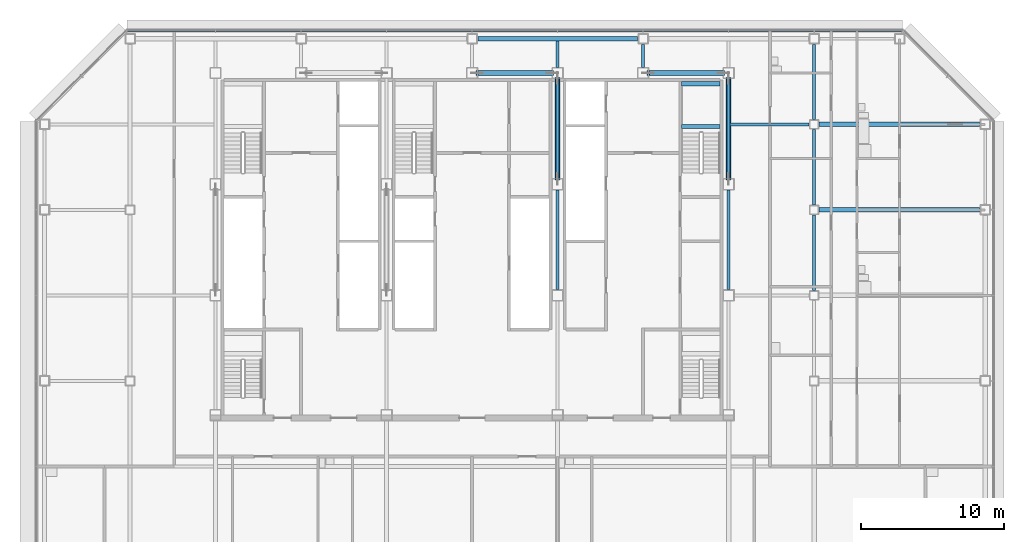
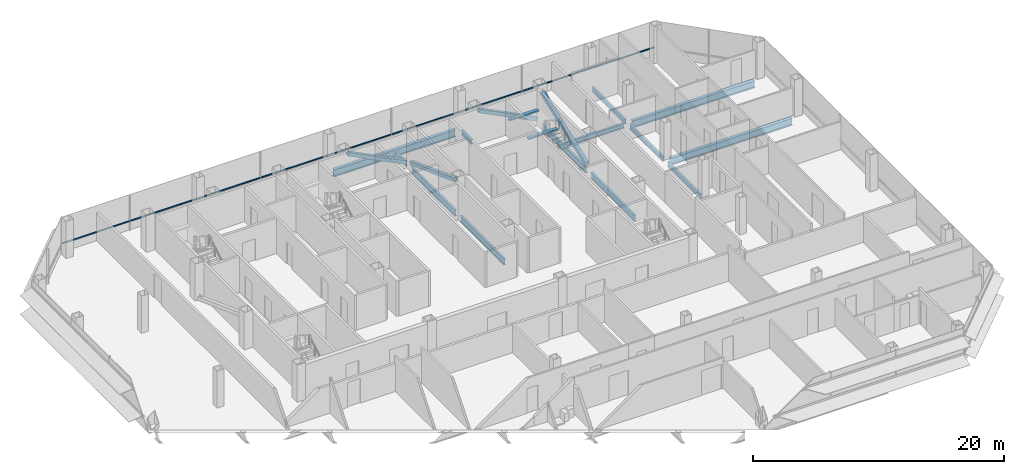
# One storey, part 13 of 26: 15 beams, 5 members, 1 element without a shape of its own.
"""IFC4 building model written with IfcOpenShell, lengths in metres."""

from ifc_helpers import new_model, si_unit, direction, frame, origin, origin_2d, place, context, subcontext, project, spatial, rectangle, hollow_rectangle, i_section, extrude, material, material_profile, profile_set, type_object, element, aggregate, save


model = new_model("IFC4")

# Units and contexts
model_context = context("Model", 3, precision=1e-05, world=origin(), true_north=direction((0.0, 1.0)))
body_context = subcontext(model_context, "Body", "Model", "MODEL_VIEW")
ifc_project = project(units=[si_unit("LENGTHUNIT", "METRE"), si_unit("AREAUNIT", "SQUARE_METRE"), si_unit("VOLUMEUNIT", "CUBIC_METRE"), si_unit("PLANEANGLEUNIT", "RADIAN"), si_unit("MASSUNIT", "GRAM", prefix="KILO")], contexts=[model_context])

# Site, building, storey
site_placement = place(None, origin())
site = spatial("IfcSite", under=ifc_project, at=site_placement, CompositionType="ELEMENT")
building_placement = place(site_placement, origin())
building = spatial("IfcBuilding", under=site, at=building_placement, Name="Sorahane Residences", CompositionType="ELEMENT")
storey_placement = place(building_placement, frame((0.0, 0.0, 147.39990234375)))
storey = spatial("IfcBuildingStorey", under=building, at=storey_placement, Name="L33", CompositionType="ELEMENT", Elevation=147.39990234375)

# Members
ifc_material_1 = material(Name="Steel Q355B", Category="steel")
ifc_material_profile_1 = material_profile(ifc_material_1, hollow_rectangle(XDim=0.35009765625, YDim=0.35009765625, WallThickness=0.01806640625, InnerFilletRadius=0.009033203125, OuterFilletRadius=0.027099609375, at=origin_2d()), Name="RHS 350x350x18")
ifc_profile_set_1 = profile_set([ifc_material_profile_1], Name="Steel Q355B")
member_type_1 = type_object("IfcMemberType", Name="Core brace RHS 350x350x18 Q355B", PredefinedType="BRACE", material=ifc_profile_set_1)
for number, where, z_axis, x_axis, name in (
    (1, (29.647216796875, 45.60009765625, 0.1513671875), (-0.893055794866, 0.0, 0.449945938149), (0.0, -1.0, 0.0), "Core brace L33 y45.6-4"),
    (2, (41.647216796875, 45.60009765625, 0.1513671875), (-0.893055794866, 0.0, 0.449945938149), (0.0, -1.0, 0.0), "Core brace L33 y45.6-6"),
):
    element("IfcMember", number, at=place(storey_placement, frame(where, z_axis=z_axis, x_axis=x_axis)), inside=storey, type_object=member_type_1, Name=name, PredefinedType="BRACE", context=body_context, shape_type="SweptSolid", body=[
        extrude(hollow_rectangle(XDim=0.35009765625, YDim=0.35009765625, WallThickness=0.01806640625, InnerFilletRadius=0.009033203125, OuterFilletRadius=0.027099609375, at=origin_2d()), origin(), (0.0, 0.0, 1.0), 5.928466796875),
    ])
for number, where, z_axis, x_axis, name in (
    (3, (42.0, 38.1630859375, 0.161376953125), (0.0, 0.936554808937, 0.350521168914), (-1.0, 0.0, 0.0), "Core brace L33 x42-3"),
    (4, (30.0, 45.23681640625, 0.161376953125), (0.0, -0.936554808937, 0.350521168914), (1.0, 0.0, 0.0), "Core brace L33 x30-2"),
):
    element("IfcMember", number, at=place(storey_placement, frame(where, z_axis=z_axis, x_axis=x_axis)), inside=storey, type_object=member_type_1, Name=name, PredefinedType="BRACE", context=body_context, shape_type="SweptSolid", body=[
        extrude(hollow_rectangle(XDim=0.35009765625, YDim=0.35009765625, WallThickness=0.01806640625, InnerFilletRadius=0.009033203125, OuterFilletRadius=0.027099609375, at=origin_2d()), origin(), (0.0, 0.0, 1.0), 7.552978515625),
    ])

# Curtain wall, member
ifc_material_2 = material(Name="Dark low-e glass and black anodised aluminium", Category="aluminium")
curtain_wall_type = type_object("IfcCurtainWallType", Name="Curtain wall CW-1 Typical unitised wall", PredefinedType="NOTDEFINED", material=ifc_material_2)
curtain_wall_placement = place(storey_placement, origin())
curtain_wall = element("IfcCurtainWall", 5, at=curtain_wall_placement, inside=storey, type_object=curtain_wall_type, Name="CW-1 curtain wall L33 N1", PredefinedType="NOTDEFINED")
ifc_material_3 = material(Name="Black anodised aluminium", Category="aluminium")
ifc_material_profile_2 = material_profile(ifc_material_3, rectangle(XDim=0.10009765625, YDim=0.06005859375, at=origin_2d()), Name="Curtain wall transom CW-1 black anodised aluminium 60x100")
ifc_profile_set_2 = profile_set([ifc_material_profile_2], Name="Black anodised aluminium")
member_type_2 = type_object("IfcMemberType", Name="Curtain wall transom CW-1 black anodised aluminium 60x100", PredefinedType="USERDEFINED", material=ifc_profile_set_2)
member_placement = place(storey_placement, frame((54.198486328125, 48.530029296875, 0.900146484375), z_axis=(-1.0, 0.0, 0.0), x_axis=(0.0, -1.0, 0.0)))
member = element("IfcMember", 6, at=member_placement, type_object=member_type_2, Name="CW-1 transom L33 N1", ObjectType="TRANSOM", PredefinedType="USERDEFINED", context=body_context, shape_type="SweptSolid", body=[
    extrude(rectangle(XDim=0.10009765625, YDim=0.06005859375, at=origin_2d()), origin(), (0.0, 0.0, 1.0), 54.39697265625),
])
aggregate(curtain_wall, [member])

# Beams
ifc_material_4 = material(Name="Concrete C40", Category="concrete")
ifc_material_profile_3 = material_profile(ifc_material_4, rectangle(XDim=0.300048828125, YDim=0.139892578125, at=origin_2d()), Name="300x140")
ifc_profile_set_3 = profile_set([ifc_material_profile_3], Name="Concrete C40")
beam_type_1 = type_object("IfcBeamType", Name="RC landing beam 300 x 140 Concrete C40", PredefinedType="BEAM", material=ifc_profile_set_3)
for number, where, z_axis, x_axis, name in (
    (7, (38.699951171875, 41.85009765625, 1.530029296875), (1.0, 0.0, 0.0), (0.0, 1.0, 0.0), "Landing beam"),
    (8, (38.699951171875, 44.85009765625, 1.530029296875), (1.0, 0.0, 0.0), (0.0, 1.0, 0.0), "Landing beam"),
):
    element("IfcBeam", number, at=place(storey_placement, frame(where, z_axis=z_axis, x_axis=x_axis)), inside=storey, type_object=beam_type_1, Name=name, PredefinedType="BEAM", context=body_context, shape_type="SweptSolid", body=[
        extrude(rectangle(XDim=0.300048828125, YDim=0.139892578125, at=origin_2d()), origin(), (0.0, 0.0, 1.0), 2.699951171875),
    ])
ifc_material_5 = material(Name="Steel Q355B", Category="steel")
ifc_material_profile_4 = material_profile(ifc_material_5, i_section(OverallWidth=0.199951171875, OverallDepth=0.449951171875, WebThickness=0.009033203125, FlangeThickness=0.013916015625, FilletRadius=0.02001953125, at=origin_2d()), Name="HN 450x200x9x14")
ifc_profile_set_4 = profile_set([ifc_material_profile_4], Name="Steel Q355B")
beam_type_2 = type_object("IfcBeamType", Name="Steel floor beam HN 450x200x9x14 Q355B", PredefinedType="BEAM", material=ifc_profile_set_4)
beam_1_placement = place(storey_placement, frame((30.0, 46.0, -0.40478515625), z_axis=(0.0, 1.0, 0.0), x_axis=(-1.0, 0.0, 0.0)))
element("IfcBeam", 9, at=beam_1_placement, inside=storey, type_object=beam_type_2, Name="Beam L33 049", PredefinedType="BEAM", context=body_context, shape_type="SweptSolid", body=[
    extrude(i_section(OverallWidth=0.199951171875, OverallDepth=0.449951171875, WebThickness=0.009033203125, FlangeThickness=0.013916015625, FilletRadius=0.02001953125, at=origin_2d()), origin(), (0.0, 0.0, 1.0), 1.85009765625),
])
beam_2_placement = place(storey_placement, frame((36.0, 46.0, -0.40478515625), z_axis=(0.0, 1.0, 0.0), x_axis=(-1.0, 0.0, 0.0)))
element("IfcBeam", 10, at=beam_2_placement, inside=storey, type_object=beam_type_2, Name="Beam L33 051", PredefinedType="BEAM", context=body_context, shape_type="SweptSolid", body=[
    extrude(i_section(OverallWidth=0.199951171875, OverallDepth=0.449951171875, WebThickness=0.009033203125, FlangeThickness=0.013916015625, FilletRadius=0.02001953125, at=origin_2d()), origin(), (0.0, 0.0, 1.0), 1.60009765625),
])
for number, where, z_axis, x_axis, name in (
    (11, (48.0, 30.35009765625, -0.40478515625), (0.0, 1.0, 0.0), (-1.0, 0.0, 0.0), "Beam L33 061"),
    (12, (48.0, 36.35009765625, -0.40478515625), (0.0, 1.0, 0.0), (-1.0, 0.0, 0.0), "Beam L33 062"),
):
    element("IfcBeam", number, at=place(storey_placement, frame(where, z_axis=z_axis, x_axis=x_axis)), inside=storey, type_object=beam_type_2, Name=name, PredefinedType="BEAM", context=body_context, shape_type="SweptSolid", body=[
        extrude(i_section(OverallWidth=0.199951171875, OverallDepth=0.449951171875, WebThickness=0.009033203125, FlangeThickness=0.013916015625, FilletRadius=0.02001953125, at=origin_2d()), origin(), (0.0, 0.0, 1.0), 5.2998046875),
    ])
beam_3_placement = place(storey_placement, frame((48.0, 42.35009765625, -0.40478515625), z_axis=(0.0, 1.0, 0.0), x_axis=(-1.0, 0.0, 0.0)))
element("IfcBeam", 13, at=beam_3_placement, inside=storey, type_object=beam_type_2, Name="Beam L33 063", PredefinedType="BEAM", context=body_context, shape_type="SweptSolid", body=[
    extrude(i_section(OverallWidth=0.199951171875, OverallDepth=0.449951171875, WebThickness=0.009033203125, FlangeThickness=0.013916015625, FilletRadius=0.02001953125, at=origin_2d()), origin(), (0.0, 0.0, 1.0), 5.25),
])
beam_4_placement = place(storey_placement, frame((42.10009765625, 42.0, -0.40478515625), z_axis=(1.0, 0.0, 0.0), x_axis=(0.0, 1.0, 0.0)))
element("IfcBeam", 14, at=beam_4_placement, inside=storey, type_object=beam_type_2, Name="Beam L33 091", PredefinedType="BEAM", context=body_context, shape_type="SweptSolid", body=[
    extrude(i_section(OverallWidth=0.199951171875, OverallDepth=0.449951171875, WebThickness=0.009033203125, FlangeThickness=0.013916015625, FilletRadius=0.02001953125, at=origin_2d()), origin(), (0.0, 0.0, 1.0), 5.5498046875),
])
ifc_material_6 = material(Name="Steel Q355B", Category="steel")
ifc_material_profile_5 = material_profile(ifc_material_6, i_section(OverallWidth=0.199951171875, OverallDepth=0.60009765625, WebThickness=0.010986328125, FlangeThickness=0.01708984375, FilletRadius=0.02392578125, at=origin_2d()), Name="HN 600x200x11x17")
ifc_profile_set_5 = profile_set([ifc_material_profile_5], Name="Steel Q355B")
beam_type_3 = type_object("IfcBeamType", Name="Steel floor beam HN 600x200x11x17 Q355B", PredefinedType="BEAM", material=ifc_profile_set_5)
for number, where, z_axis, x_axis, name in (
    (15, (30.0, 30.39990234375, -0.47998046875), (0.0, 1.0, 0.0), (-1.0, 0.0, 0.0), "Beam L33 047"),
    (16, (30.0, 38.199951171875, -0.47998046875), (0.0, 1.0, 0.0), (-1.0, 0.0, 0.0), "Beam L33 048"),
    (17, (42.0, 30.39990234375, -0.47998046875), (0.0, 1.0, 0.0), (-1.0, 0.0, 0.0), "Beam L33 055"),
    (18, (42.0, 38.199951171875, -0.47998046875), (0.0, 1.0, 0.0), (-1.0, 0.0, 0.0), "Beam L33 056"),
):
    element("IfcBeam", number, at=place(storey_placement, frame(where, z_axis=z_axis, x_axis=x_axis)), inside=storey, type_object=beam_type_3, Name=name, PredefinedType="BEAM", context=body_context, shape_type="SweptSolid", body=[
        extrude(i_section(OverallWidth=0.199951171875, OverallDepth=0.60009765625, WebThickness=0.010986328125, FlangeThickness=0.01708984375, FilletRadius=0.02392578125, at=origin_2d()), origin(), (0.0, 0.0, 1.0), 7.0),
    ])
ifc_material_7 = material(Name="Steel Q355B", Category="steel")
ifc_material_profile_6 = material_profile(ifc_material_7, i_section(OverallWidth=0.300048828125, OverallDepth=0.699951171875, WebThickness=0.012939453125, FlangeThickness=0.02392578125, FilletRadius=0.028076171875, at=origin_2d()), Name="HN 700x300x13x24")
ifc_profile_set_6 = profile_set([ifc_material_profile_6], Name="Steel Q355B")
beam_type_4 = type_object("IfcBeamType", Name="Steel floor beam HN 700x300x13x24 Q355B", PredefinedType="BEAM", material=ifc_profile_set_6)
beam_5_placement = place(storey_placement, frame((48.35009765625, 36.0, -0.52978515625), z_axis=(1.0, 0.0, 0.0), x_axis=(0.0, 1.0, 0.0)))
element("IfcBeam", 19, at=beam_5_placement, inside=storey, type_object=beam_type_4, Name="Beam L33 014", PredefinedType="BEAM", context=body_context, shape_type="SweptSolid", body=[
    extrude(i_section(OverallWidth=0.300048828125, OverallDepth=0.699951171875, WebThickness=0.012939453125, FlangeThickness=0.02392578125, FilletRadius=0.028076171875, at=origin_2d()), origin(), (0.0, 0.0, 1.0), 11.25),
])
beam_6_placement = place(storey_placement, frame((24.39990234375, 48.0, -0.52978515625), z_axis=(1.0, 0.0, 0.0), x_axis=(0.0, 1.0, 0.0)))
element("IfcBeam", 20, at=beam_6_placement, inside=storey, type_object=beam_type_4, Name="Beam L33 017", PredefinedType="BEAM", context=body_context, shape_type="SweptSolid", body=[
    extrude(i_section(OverallWidth=0.300048828125, OverallDepth=0.699951171875, WebThickness=0.012939453125, FlangeThickness=0.02392578125, FilletRadius=0.028076171875, at=origin_2d()), origin(), (0.0, 0.0, 1.0), 11.2001953125),
])
beam_7_placement = place(storey_placement, frame((48.35009765625, 42.0, -0.52978515625), z_axis=(1.0, 0.0, 0.0), x_axis=(0.0, 1.0, 0.0)))
element("IfcBeam", 21, at=beam_7_placement, inside=storey, type_object=beam_type_4, Name="Beam L33 092", PredefinedType="BEAM", context=body_context, shape_type="SweptSolid", body=[
    extrude(i_section(OverallWidth=0.300048828125, OverallDepth=0.699951171875, WebThickness=0.012939453125, FlangeThickness=0.02392578125, FilletRadius=0.028076171875, at=origin_2d()), origin(), (0.0, 0.0, 1.0), 11.25),
])

save(model, "model.ifc")
